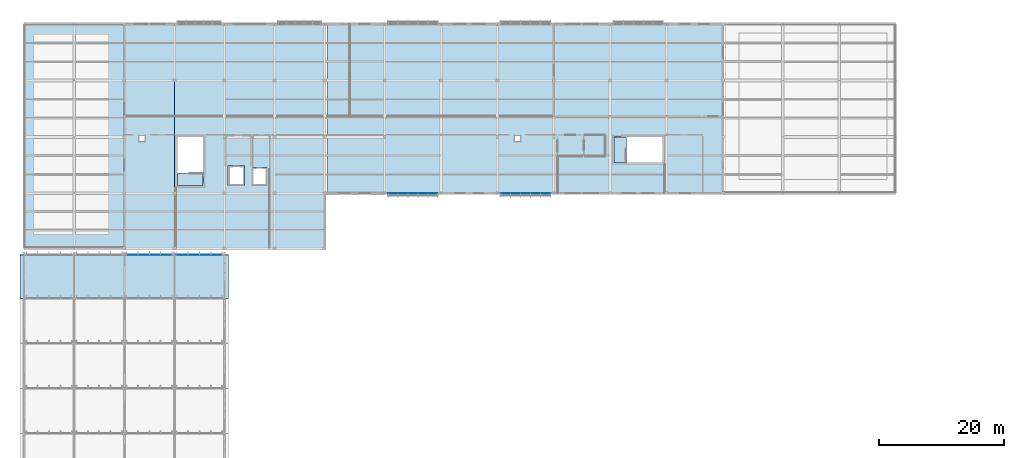
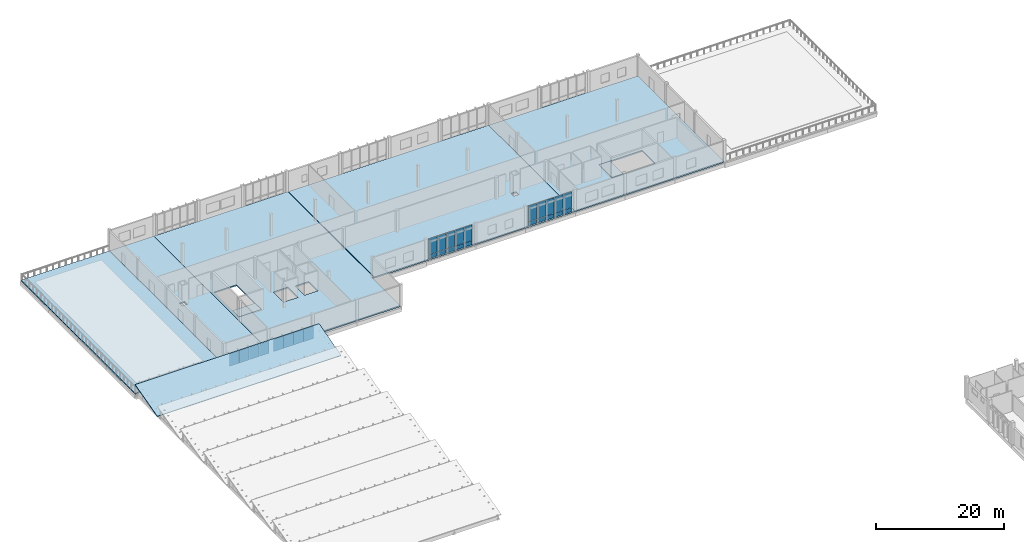
# One storey, part 75 of 94: 28 plates, 8 slabs, 4 elements without a shape of their own.
"""IFC4 building model written with IfcOpenShell, lengths in metres."""

from ifc_helpers import new_model, si_unit, direction, frame, origin, origin_2d, place, context, subcontext, project, spatial, polyline, rectangle, outline, extrude, material, layer, layer_set, type_object, element, aggregate, save


model = new_model("IFC4")

# Units and contexts
model_context = context("Model", 3, precision=1e-05, world=origin(), true_north=direction((0.0, 1.0)))
body_context = subcontext(model_context, "Body", "Model", "MODEL_VIEW")
ifc_project = project(units=[si_unit("LENGTHUNIT", "METRE"), si_unit("AREAUNIT", "SQUARE_METRE"), si_unit("VOLUMEUNIT", "CUBIC_METRE"), si_unit("PLANEANGLEUNIT", "RADIAN"), si_unit("MASSUNIT", "GRAM", prefix="KILO")], contexts=[model_context])

# Site, building, storey
site_placement = place(None, origin())
site = spatial("IfcSite", under=ifc_project, at=site_placement, CompositionType="ELEMENT")
building_placement = place(site_placement, origin())
building = spatial("IfcBuilding", under=site, at=building_placement, Name="Chiffa Square Polytechnic", CompositionType="ELEMENT")
storey_placement = place(building_placement, frame((0.0, 0.0, 18.0)))
storey = spatial("IfcBuildingStorey", under=building, at=storey_placement, Name="L04", CompositionType="ELEMENT", Elevation=18.0)

# Curtain wall, plates
ifc_material_1 = material(Name="Aluminium EN AW-6060 T66 and glulam shading", Category="wood")
curtain_wall_type_1 = type_object("IfcCurtainWallType", Name="CW-VERT-450X380", PredefinedType="USERDEFINED", material=ifc_material_1)
curtain_wall_1_placement = place(storey_placement, origin())
curtain_wall_1 = element("IfcCurtainWall", 1, at=curtain_wall_1_placement, inside=storey, type_object=curtain_wall_type_1, Name="Curtain wall CW-V5-L04-242", ObjectType="CURTAIN WALL", PredefinedType="USERDEFINED")
ifc_material_2 = material(Name="Double glazing", Category="glass")
ifc_layer_1 = layer(ifc_material_2, 0.0419921875, Name="Double glazing")
ifc_layer_set_1 = layer_set([ifc_layer_1], Name="Double glazing")
plate_type_1 = type_object("IfcPlateType", Name="CWP-GLZ-138X126", PredefinedType="CURTAIN_PANEL", material=ifc_layer_set_1)
plate_1_placement = place(storey_placement, frame((76.943115234375, 103.800048828125, 0.83984375), z_axis=(0.0, 0.0, 1.0), x_axis=(1.0, 0.0, 0.0)))
plate_1 = element("IfcPlate", 2, at=plate_1_placement, type_object=plate_type_1, Name="Glazed curtain panel CW-V5-L04-242-PN01", PredefinedType="CURTAIN_PANEL", context=body_context, shape_type="SweptSolid", body=[
    extrude(rectangle(XDim=1.510009765625, YDim=0.0419921875, at=origin_2d()), origin(), (0.0, 0.0, 1.0), 3.050048828125),
])
plate_2_placement = place(storey_placement, frame((78.51611328125, 103.800048828125, 0.83984375), z_axis=(0.0, 0.0, 1.0), x_axis=(1.0, 0.0, 0.0)))
plate_2 = element("IfcPlate", 3, at=plate_2_placement, type_object=plate_type_1, Name="Glazed curtain panel CW-V5-L04-242-PN02", PredefinedType="CURTAIN_PANEL", context=body_context, shape_type="SweptSolid", body=[
    extrude(rectangle(XDim=1.531982421875, YDim=0.0419921875, at=origin_2d()), origin(), (0.0, 0.0, 1.0), 3.050048828125),
])
plate_3_placement = place(storey_placement, frame((80.10009765625, 103.800048828125, 0.83984375), z_axis=(0.0, 0.0, 1.0), x_axis=(1.0, 0.0, 0.0)))
plate_3 = element("IfcPlate", 4, at=plate_3_placement, type_object=plate_type_1, Name="Glazed curtain panel CW-V5-L04-242-PN03", PredefinedType="CURTAIN_PANEL", context=body_context, shape_type="SweptSolid", body=[
    extrude(rectangle(XDim=1.531982421875, YDim=0.0419921875, at=origin_2d()), origin(), (0.0, 0.0, 1.0), 3.050048828125),
])
plate_4_placement = place(storey_placement, frame((81.68408203125, 103.800048828125, 0.83984375), z_axis=(0.0, 0.0, 1.0), x_axis=(1.0, 0.0, 0.0)))
plate_4 = element("IfcPlate", 5, at=plate_4_placement, type_object=plate_type_1, Name="Glazed curtain panel CW-V5-L04-242-PN04", PredefinedType="CURTAIN_PANEL", context=body_context, shape_type="SweptSolid", body=[
    extrude(rectangle(XDim=1.531982421875, YDim=0.0419921875, at=origin_2d()), origin(), (0.0, 0.0, 1.0), 3.050048828125),
])
plate_5_placement = place(storey_placement, frame((83.257080078125, 103.800048828125, 0.83984375), z_axis=(0.0, 0.0, 1.0), x_axis=(1.0, 0.0, 0.0)))
plate_5 = element("IfcPlate", 6, at=plate_5_placement, type_object=plate_type_1, Name="Glazed curtain panel CW-V5-L04-242-PN05", PredefinedType="CURTAIN_PANEL", context=body_context, shape_type="SweptSolid", body=[
    extrude(rectangle(XDim=1.510009765625, YDim=0.0419921875, at=origin_2d()), origin(), (0.0, 0.0, 1.0), 3.050048828125),
])

curtain_wall_type_2 = type_object("IfcCurtainWallType", Name="CW-VERT-600X440", PredefinedType="USERDEFINED", material=ifc_material_1)
curtain_wall_2_placement = place(storey_placement, origin())
curtain_wall_2 = element("IfcCurtainWall", 7, at=curtain_wall_2_placement, inside=storey, type_object=curtain_wall_type_2, Name="Curtain wall CW-V5-L04-241", ObjectType="CURTAIN WALL", PredefinedType="USERDEFINED")
ifc_layer_2 = layer(ifc_material_2, 0.0400390625, Name="Double glazing")
ifc_layer_set_2 = layer_set([ifc_layer_2], Name="Double glazing")
plate_type_2 = type_object("IfcPlateType", Name="CWP-GLZ-140X130", PredefinedType="CURTAIN_PANEL", material=ifc_layer_set_2)
plate_6_placement = place(storey_placement, frame((58.943115234375, 103.800048828125, 0.83984375), z_axis=(0.0, 0.0, 1.0), x_axis=(1.0, 0.0, 0.0)))
plate_6 = element("IfcPlate", 8, at=plate_6_placement, type_object=plate_type_2, Name="Glazed curtain panel CW-V5-L04-241-PN01", PredefinedType="CURTAIN_PANEL", context=body_context, shape_type="SweptSolid", body=[
    extrude(rectangle(XDim=1.510009765625, YDim=0.0400390625, at=origin_2d()), origin(), (0.0, 0.0, 1.0), 3.050048828125),
])
plate_7_placement = place(storey_placement, frame((60.51611328125, 103.800048828125, 0.83984375), z_axis=(0.0, 0.0, 1.0), x_axis=(1.0, 0.0, 0.0)))
plate_7 = element("IfcPlate", 9, at=plate_7_placement, type_object=plate_type_2, Name="Glazed curtain panel CW-V5-L04-241-PN02", PredefinedType="CURTAIN_PANEL", context=body_context, shape_type="SweptSolid", body=[
    extrude(rectangle(XDim=1.531982421875, YDim=0.0400390625, at=origin_2d()), origin(), (0.0, 0.0, 1.0), 3.050048828125),
])
plate_8_placement = place(storey_placement, frame((62.10009765625, 103.800048828125, 0.83984375), z_axis=(0.0, 0.0, 1.0), x_axis=(1.0, 0.0, 0.0)))
plate_8 = element("IfcPlate", 10, at=plate_8_placement, type_object=plate_type_2, Name="Glazed curtain panel CW-V5-L04-241-PN03", PredefinedType="CURTAIN_PANEL", context=body_context, shape_type="SweptSolid", body=[
    extrude(rectangle(XDim=1.531982421875, YDim=0.0400390625, at=origin_2d()), origin(), (0.0, 0.0, 1.0), 3.050048828125),
])
plate_9_placement = place(storey_placement, frame((63.68408203125, 103.800048828125, 0.83984375), z_axis=(0.0, 0.0, 1.0), x_axis=(1.0, 0.0, 0.0)))
plate_9 = element("IfcPlate", 11, at=plate_9_placement, type_object=plate_type_2, Name="Glazed curtain panel CW-V5-L04-241-PN04", PredefinedType="CURTAIN_PANEL", context=body_context, shape_type="SweptSolid", body=[
    extrude(rectangle(XDim=1.531982421875, YDim=0.0400390625, at=origin_2d()), origin(), (0.0, 0.0, 1.0), 3.050048828125),
])
plate_10_placement = place(storey_placement, frame((65.257080078125, 103.800048828125, 0.83984375), z_axis=(0.0, 0.0, 1.0), x_axis=(1.0, 0.0, 0.0)))
plate_10 = element("IfcPlate", 12, at=plate_10_placement, type_object=plate_type_2, Name="Glazed curtain panel CW-V5-L04-241-PN05", PredefinedType="CURTAIN_PANEL", context=body_context, shape_type="SweptSolid", body=[
    extrude(rectangle(XDim=1.510009765625, YDim=0.0400390625, at=origin_2d()), origin(), (0.0, 0.0, 1.0), 3.050048828125),
])

curtain_wall_type_3 = type_object("IfcCurtainWallType", Name="CW-VERT-300X380", PredefinedType="USERDEFINED", material=ifc_material_1)
curtain_wall_3_placement = place(storey_placement, origin())
curtain_wall_3 = element("IfcCurtainWall", 13, at=curtain_wall_3_placement, inside=storey, type_object=curtain_wall_type_3, Name="Curtain wall CW-V6-SAW8-3", ObjectType="CURTAIN WALL", PredefinedType="USERDEFINED")
ifc_layer_3 = layer(ifc_material_2, 0.035888671875, Name="Double glazing")
ifc_layer_set_3 = layer_set([ifc_layer_3], Name="Double glazing")
plate_type_3 = type_object("IfcPlateType", Name="CWP-GLZ-150X145", PredefinedType="CURTAIN_PANEL", material=ifc_layer_set_3)
plate_11_placement = place(storey_placement, frame((22.718994140625, 93.949951171875, 0.08984375), z_axis=(0.0, 0.0, 1.0), x_axis=(-1.0, 0.0, 0.0)))
plate_11 = element("IfcPlate", 14, at=plate_11_placement, type_object=plate_type_3, Name="Glazed curtain panel CW-V6-SAW8-3-PN01", PredefinedType="CURTAIN_PANEL", context=body_context, shape_type="SweptSolid", body=[
    extrude(rectangle(XDim=1.74609375, YDim=0.035888671875, at=origin_2d()), origin(), (0.0, 0.0, 1.0), 2.3720703125),
])
plate_12_placement = place(storey_placement, frame((20.909912109375, 93.949951171875, 0.08984375), z_axis=(0.0, 0.0, 1.0), x_axis=(-1.0, 0.0, 0.0)))
plate_12 = element("IfcPlate", 15, at=plate_12_placement, type_object=plate_type_3, Name="Glazed curtain panel CW-V6-SAW8-3-PN02", PredefinedType="CURTAIN_PANEL", context=body_context, shape_type="SweptSolid", body=[
    extrude(rectangle(XDim=1.76806640625, YDim=0.035888671875, at=origin_2d()), origin(), (0.0, 0.0, 1.0), 2.3720703125),
])
plate_13_placement = place(storey_placement, frame((19.090087890625, 93.949951171875, 0.08984375), z_axis=(0.0, 0.0, 1.0), x_axis=(-1.0, 0.0, 0.0)))
plate_13 = element("IfcPlate", 16, at=plate_13_placement, type_object=plate_type_3, Name="Glazed curtain panel CW-V6-SAW8-3-PN03", PredefinedType="CURTAIN_PANEL", context=body_context, shape_type="SweptSolid", body=[
    extrude(rectangle(XDim=1.76806640625, YDim=0.035888671875, at=origin_2d()), origin(), (0.0, 0.0, 1.0), 2.3720703125),
])
plate_14_placement = place(storey_placement, frame((17.281005859375, 93.949951171875, 0.08984375), z_axis=(0.0, 0.0, 1.0), x_axis=(-1.0, 0.0, 0.0)))
plate_14 = element("IfcPlate", 17, at=plate_14_placement, type_object=plate_type_3, Name="Glazed curtain panel CW-V6-SAW8-3-PN04", PredefinedType="CURTAIN_PANEL", context=body_context, shape_type="SweptSolid", body=[
    extrude(rectangle(XDim=1.74609375, YDim=0.035888671875, at=origin_2d()), origin(), (0.0, 0.0, 1.0), 2.3720703125),
])
aggregate(curtain_wall_3, [plate_11, plate_12, plate_13, plate_14])

curtain_wall_type_4 = type_object("IfcCurtainWallType", Name="CW-VERT-600X380", PredefinedType="USERDEFINED", material=ifc_material_1)
curtain_wall_4_placement = place(storey_placement, origin())
curtain_wall_4 = element("IfcCurtainWall", 18, at=curtain_wall_4_placement, inside=storey, type_object=curtain_wall_type_4, Name="Curtain wall CW-V6-SAW8-4", ObjectType="CURTAIN WALL", PredefinedType="USERDEFINED")
plate_15_placement = place(storey_placement, frame((30.718994140625, 93.949951171875, 0.08984375), z_axis=(0.0, 0.0, 1.0), x_axis=(-1.0, 0.0, 0.0)))
plate_15 = element("IfcPlate", 19, at=plate_15_placement, type_object=plate_type_3, Name="Glazed curtain panel CW-V6-SAW8-4-PN01", PredefinedType="CURTAIN_PANEL", context=body_context, shape_type="SweptSolid", body=[
    extrude(rectangle(XDim=1.74609375, YDim=0.035888671875, at=origin_2d()), origin(), (0.0, 0.0, 1.0), 2.3720703125),
])
plate_16_placement = place(storey_placement, frame((28.909912109375, 93.949951171875, 0.08984375), z_axis=(0.0, 0.0, 1.0), x_axis=(-1.0, 0.0, 0.0)))
plate_16 = element("IfcPlate", 20, at=plate_16_placement, type_object=plate_type_3, Name="Glazed curtain panel CW-V6-SAW8-4-PN02", PredefinedType="CURTAIN_PANEL", context=body_context, shape_type="SweptSolid", body=[
    extrude(rectangle(XDim=1.76806640625, YDim=0.035888671875, at=origin_2d()), origin(), (0.0, 0.0, 1.0), 2.3720703125),
])
plate_17_placement = place(storey_placement, frame((27.090087890625, 93.949951171875, 0.08984375), z_axis=(0.0, 0.0, 1.0), x_axis=(-1.0, 0.0, 0.0)))
plate_17 = element("IfcPlate", 21, at=plate_17_placement, type_object=plate_type_3, Name="Glazed curtain panel CW-V6-SAW8-4-PN03", PredefinedType="CURTAIN_PANEL", context=body_context, shape_type="SweptSolid", body=[
    extrude(rectangle(XDim=1.76806640625, YDim=0.035888671875, at=origin_2d()), origin(), (0.0, 0.0, 1.0), 2.3720703125),
])
plate_18_placement = place(storey_placement, frame((25.281005859375, 93.949951171875, 0.08984375), z_axis=(0.0, 0.0, 1.0), x_axis=(-1.0, 0.0, 0.0)))
plate_18 = element("IfcPlate", 22, at=plate_18_placement, type_object=plate_type_3, Name="Glazed curtain panel CW-V6-SAW8-4-PN04", PredefinedType="CURTAIN_PANEL", context=body_context, shape_type="SweptSolid", body=[
    extrude(rectangle(XDim=1.74609375, YDim=0.035888671875, at=origin_2d()), origin(), (0.0, 0.0, 1.0), 2.3720703125),
])
aggregate(curtain_wall_4, [plate_15, plate_16, plate_17, plate_18])

# Plate
ifc_material_3 = material(Name="Aluminium insulated spandrel", Category="aluminium")
ifc_layer_4 = layer(ifc_material_3, 0.06591796875, Name="Aluminium insulated spandrel")
ifc_layer_set_4 = layer_set([ifc_layer_4], Name="Aluminium insulated spandrel")
plate_type_4 = type_object("IfcPlateType", Name="CWP-SPN-144X078", PredefinedType="SHEET", material=ifc_layer_set_4)
plate_19_placement = place(storey_placement, frame((76.943115234375, 103.800048828125, 0.050048828125), z_axis=(0.0, 0.0, 1.0), x_axis=(1.0, 0.0, 0.0)))
plate_19 = element("IfcPlate", 23, at=plate_19_placement, type_object=plate_type_4, Name="Spandrel panel CW-V5-L04-242-SP01", PredefinedType="SHEET", context=body_context, shape_type="SweptSolid", body=[
    extrude(rectangle(XDim=1.510009765625, YDim=0.06591796875, at=origin_2d()), origin(), (0.0, 0.0, 1.0), 0.75),
])

plate_20_placement = place(storey_placement, frame((78.51611328125, 103.800048828125, 0.050048828125), z_axis=(0.0, 0.0, 1.0), x_axis=(1.0, 0.0, 0.0)))
plate_20 = element("IfcPlate", 24, at=plate_20_placement, type_object=plate_type_4, Name="Spandrel panel CW-V5-L04-242-SP02", PredefinedType="SHEET", context=body_context, shape_type="SweptSolid", body=[
    extrude(rectangle(XDim=1.531982421875, YDim=0.06591796875, at=origin_2d()), origin(), (0.0, 0.0, 1.0), 0.75),
])

plate_21_placement = place(storey_placement, frame((80.10009765625, 103.800048828125, 0.050048828125), z_axis=(0.0, 0.0, 1.0), x_axis=(1.0, 0.0, 0.0)))
plate_21 = element("IfcPlate", 25, at=plate_21_placement, type_object=plate_type_4, Name="Spandrel panel CW-V5-L04-242-SP03", PredefinedType="SHEET", context=body_context, shape_type="SweptSolid", body=[
    extrude(rectangle(XDim=1.531982421875, YDim=0.06591796875, at=origin_2d()), origin(), (0.0, 0.0, 1.0), 0.75),
])

plate_22_placement = place(storey_placement, frame((81.68408203125, 103.800048828125, 0.050048828125), z_axis=(0.0, 0.0, 1.0), x_axis=(1.0, 0.0, 0.0)))
plate_22 = element("IfcPlate", 26, at=plate_22_placement, type_object=plate_type_4, Name="Spandrel panel CW-V5-L04-242-SP04", PredefinedType="SHEET", context=body_context, shape_type="SweptSolid", body=[
    extrude(rectangle(XDim=1.531982421875, YDim=0.06591796875, at=origin_2d()), origin(), (0.0, 0.0, 1.0), 0.75),
])

plate_23_placement = place(storey_placement, frame((83.257080078125, 103.800048828125, 0.050048828125), z_axis=(0.0, 0.0, 1.0), x_axis=(1.0, 0.0, 0.0)))
plate_23 = element("IfcPlate", 27, at=plate_23_placement, type_object=plate_type_4, Name="Spandrel panel CW-V5-L04-242-SP05", PredefinedType="SHEET", context=body_context, shape_type="SweptSolid", body=[
    extrude(rectangle(XDim=1.510009765625, YDim=0.06591796875, at=origin_2d()), origin(), (0.0, 0.0, 1.0), 0.75),
])

aggregate(curtain_wall_1, [plate_19, plate_1, plate_20, plate_2, plate_21, plate_3, plate_22, plate_4, plate_23, plate_5])

ifc_layer_5 = layer(ifc_material_3, 0.06396484375, Name="Aluminium insulated spandrel")
ifc_layer_set_5 = layer_set([ifc_layer_5], Name="Aluminium insulated spandrel")
plate_type_5 = type_object("IfcPlateType", Name="CWP-SPN-146X082", PredefinedType="SHEET", material=ifc_layer_set_5)
plate_24_placement = place(storey_placement, frame((58.943115234375, 103.800048828125, 0.050048828125), z_axis=(0.0, 0.0, 1.0), x_axis=(1.0, 0.0, 0.0)))
plate_24 = element("IfcPlate", 28, at=plate_24_placement, type_object=plate_type_5, Name="Spandrel panel CW-V5-L04-241-SP01", PredefinedType="SHEET", context=body_context, shape_type="SweptSolid", body=[
    extrude(rectangle(XDim=1.510009765625, YDim=0.06396484375, at=origin_2d()), origin(), (0.0, 0.0, 1.0), 0.75),
])

plate_25_placement = place(storey_placement, frame((60.51611328125, 103.800048828125, 0.050048828125), z_axis=(0.0, 0.0, 1.0), x_axis=(1.0, 0.0, 0.0)))
plate_25 = element("IfcPlate", 29, at=plate_25_placement, type_object=plate_type_5, Name="Spandrel panel CW-V5-L04-241-SP02", PredefinedType="SHEET", context=body_context, shape_type="SweptSolid", body=[
    extrude(rectangle(XDim=1.531982421875, YDim=0.06396484375, at=origin_2d()), origin(), (0.0, 0.0, 1.0), 0.75),
])

plate_26_placement = place(storey_placement, frame((62.10009765625, 103.800048828125, 0.050048828125), z_axis=(0.0, 0.0, 1.0), x_axis=(1.0, 0.0, 0.0)))
plate_26 = element("IfcPlate", 30, at=plate_26_placement, type_object=plate_type_5, Name="Spandrel panel CW-V5-L04-241-SP03", PredefinedType="SHEET", context=body_context, shape_type="SweptSolid", body=[
    extrude(rectangle(XDim=1.531982421875, YDim=0.06396484375, at=origin_2d()), origin(), (0.0, 0.0, 1.0), 0.75),
])

plate_27_placement = place(storey_placement, frame((63.68408203125, 103.800048828125, 0.050048828125), z_axis=(0.0, 0.0, 1.0), x_axis=(1.0, 0.0, 0.0)))
plate_27 = element("IfcPlate", 31, at=plate_27_placement, type_object=plate_type_5, Name="Spandrel panel CW-V5-L04-241-SP04", PredefinedType="SHEET", context=body_context, shape_type="SweptSolid", body=[
    extrude(rectangle(XDim=1.531982421875, YDim=0.06396484375, at=origin_2d()), origin(), (0.0, 0.0, 1.0), 0.75),
])

plate_28_placement = place(storey_placement, frame((65.257080078125, 103.800048828125, 0.050048828125), z_axis=(0.0, 0.0, 1.0), x_axis=(1.0, 0.0, 0.0)))
plate_28 = element("IfcPlate", 32, at=plate_28_placement, type_object=plate_type_5, Name="Spandrel panel CW-V5-L04-241-SP05", PredefinedType="SHEET", context=body_context, shape_type="SweptSolid", body=[
    extrude(rectangle(XDim=1.510009765625, YDim=0.06396484375, at=origin_2d()), origin(), (0.0, 0.0, 1.0), 0.75),
])

aggregate(curtain_wall_2, [plate_24, plate_6, plate_25, plate_7, plate_26, plate_8, plate_27, plate_9, plate_28, plate_10])

# Slabs
ifc_material_4 = material(Name="Concrete C35/45", Category="concrete")
ifc_layer_6 = layer(ifc_material_4, 0.239990234375, Name="Concrete C35/45")
ifc_layer_set_6 = layer_set([ifc_layer_6], Name="Concrete C35/45")
slab_type_1 = type_object("IfcSlabType", Name="SLB-FLR-240", PredefinedType="FLOOR", material=ifc_layer_set_6)
slab_1_placement = place(storey_placement, frame((0.0, 0.0, -0.239990234375)))
element("IfcSlab", 33, at=slab_1_placement, inside=storey, type_object=slab_type_1, Name="V5 L04 structural slab SLB-V5-L04-043", PredefinedType="FLOOR", context=body_context, shape_type="SweptSolid", body=[
    extrude(outline(polyline([(16.0, 95.050048828125), (16.0, 130.800048828125), (24.0, 130.800048828125), (24.0, 95.050048828125), (16.0, 95.050048828125)]), holes=[polyline([(18.35009765625, 112.89990234375), (19.25, 112.89990234375), (19.25, 112.050048828125), (18.35009765625, 112.050048828125), (18.35009765625, 112.89990234375)])]), origin(), (0.0, 0.0, 1.0), 0.239990234375),
])
slab_2_placement = place(storey_placement, frame((0.0, 0.0, -0.239990234375)))
element("IfcSlab", 34, at=slab_2_placement, inside=storey, type_object=slab_type_1, Name="V5 L04 structural slab SLB-V5-L04-044", PredefinedType="FLOOR", context=body_context, shape_type="SweptSolid", body=[
    extrude(outline(polyline([(48.0, 103.800048828125), (48.0, 95.050048828125), (24.0, 95.050048828125), (24.0, 130.800048828125), (48.25, 130.800048828125), (48.25, 103.800048828125), (48.0, 103.800048828125)]), holes=[polyline([(24.5, 105.0), (24.5, 112.800048828125), (28.60009765625, 112.800048828125), (28.60009765625, 105.0), (24.5, 105.0)]), polyline([(32.60009765625, 108.199951171875), (35.199951171875, 108.199951171875), (35.199951171875, 105.0), (32.60009765625, 105.0), (32.60009765625, 108.199951171875)]), polyline([(36.39990234375, 107.89990234375), (38.800048828125, 107.89990234375), (38.800048828125, 105.0), (36.39990234375, 105.0), (36.39990234375, 107.89990234375)])]), origin(), (0.0, 0.0, 1.0), 0.239990234375),
])
slab_3_placement = place(storey_placement, frame((0.0, 0.0, -0.239990234375)))
element("IfcSlab", 35, at=slab_3_placement, inside=storey, type_object=slab_type_1, Name="V5 L04 structural slab SLB-V5-L04-045", PredefinedType="FLOOR", context=body_context, shape_type="SweptSolid", body=[
    extrude(outline(polyline([(48.35009765625, 103.800048828125), (48.35009765625, 130.800048828125), (84.60009765625, 130.800048828125), (84.60009765625, 103.800048828125), (48.35009765625, 103.800048828125)]), holes=[polyline([(78.35009765625, 112.89990234375), (79.25, 112.89990234375), (79.25, 112.050048828125), (78.35009765625, 112.050048828125), (78.35009765625, 112.89990234375)])]), origin(), (0.0, 0.0, 1.0), 0.239990234375),
])
slab_4_placement = place(storey_placement, frame((0.0, 0.0, -0.239990234375)))
element("IfcSlab", 36, at=slab_4_placement, inside=storey, type_object=slab_type_1, Name="V5 L04 structural slab SLB-V5-L04-046", PredefinedType="FLOOR", context=body_context, shape_type="SweptSolid", body=[
    extrude(outline(polyline([(111.60009765625, 130.800048828125), (111.60009765625, 103.800048828125), (84.60009765625, 103.800048828125), (84.60009765625, 130.800048828125), (111.60009765625, 130.800048828125)]), holes=[polyline([(94.199951171875, 112.800048828125), (102.0, 112.800048828125), (102.0, 108.699951171875), (94.199951171875, 108.699951171875), (94.199951171875, 112.800048828125)])]), origin(), (0.0, 0.0, 1.0), 0.239990234375),
])
ifc_material_5 = material(Name="Concrete C40/50", Category="concrete")
ifc_layer_7 = layer(ifc_material_5, 0.35009765625, Name="Concrete C40/50")
ifc_layer_set_7 = layer_set([ifc_layer_7], Name="Concrete C40/50")
slab_type_2 = type_object("IfcSlabType", Name="SLB-FLR-350", PredefinedType="FLOOR", material=ifc_layer_set_7)
slab_5_placement = place(storey_placement, frame((0.0, 0.0, -0.35009765625)))
element("IfcSlab", 37, at=slab_5_placement, inside=storey, type_object=slab_type_2, Name="Stair core floor landing slab SLB-CORE-CORE-V5A-L04", PredefinedType="FLOOR", context=body_context, shape_type="SweptSolid", body=[
    extrude(outline(polyline([(28.60009765625, 105.0), (28.60009765625, 107.011962890625), (24.5, 107.011962890625), (24.5, 105.0), (28.60009765625, 105.0)])), origin(), (0.0, 0.0, 1.0), 0.35009765625),
])
slab_6_placement = place(storey_placement, frame((0.0, 0.0, -0.35009765625)))
element("IfcSlab", 38, at=slab_6_placement, inside=storey, type_object=slab_type_2, Name="Stair core floor landing slab SLB-CORE-CORE-V5B-L04", PredefinedType="FLOOR", context=body_context, shape_type="SweptSolid", body=[
    extrude(outline(polyline([(94.199951171875, 108.699951171875), (96.2119140625, 108.699951171875), (96.2119140625, 112.800048828125), (94.199951171875, 112.800048828125), (94.199951171875, 108.699951171875)])), origin(), (0.0, 0.0, 1.0), 0.35009765625),
])
ifc_material_6 = material(Name="CLT C24", Category="wood")
ifc_layer_8 = layer(ifc_material_6, 0.14990234375, Name="CLT C24")
ifc_layer_set_8 = layer_set([ifc_layer_8], Name="CLT C24")
slab_type_3 = type_object("IfcSlabType", Name="SLB-ROOF-150", PredefinedType="ROOF", material=ifc_layer_set_8)
slab_7_placement = place(storey_placement, frame((-0.64990234375, 87.0, 0.719970703125), z_axis=(0.0, -0.258796578128, 0.965931846017), x_axis=(1.0, 0.0, 0.0)))
element("IfcSlab", 39, at=slab_7_placement, inside=storey, type_object=slab_type_3, Name="Studio sawtooth roof slab SLB-ROOF-V6-SAW08", PredefinedType="ROOF", context=body_context, shape_type="SweptSolid", body=[
    extrude(outline(polyline([(0.0, 0.0), (33.2998046875, 0.0), (33.2998046875, 7.195074062973577), (0.0, 7.195074062973577), (0.0, 0.0)])), origin(), (0.0, 0.0, -1.0), 0.14990234375),
])
ifc_layer_9 = layer(ifc_material_5, 0.239990234375, Name="Concrete C40/50")
ifc_layer_set_9 = layer_set([ifc_layer_9], Name="Concrete C40/50")
slab_type_4 = type_object("IfcSlabType", Name="SLB-TERR-240", PredefinedType="FLOOR", material=ifc_layer_set_9)
slab_8_placement = place(storey_placement, frame((0.0, 0.0, -0.239990234375)))
element("IfcSlab", 40, at=slab_8_placement, inside=storey, type_object=slab_type_4, Name="Laboratory west planted roof garden slab SLB-V5-TERR-L04W", PredefinedType="FLOOR", context=body_context, shape_type="SweptSolid", body=[
    extrude(outline(polyline([(0.0, 95.050048828125), (16.0, 95.050048828125), (16.0, 130.800048828125), (0.0, 130.800048828125), (0.0, 95.050048828125)])), origin(), (0.0, 0.0, 1.0), 0.239990234375),
])

save(model, "model.ifc")
